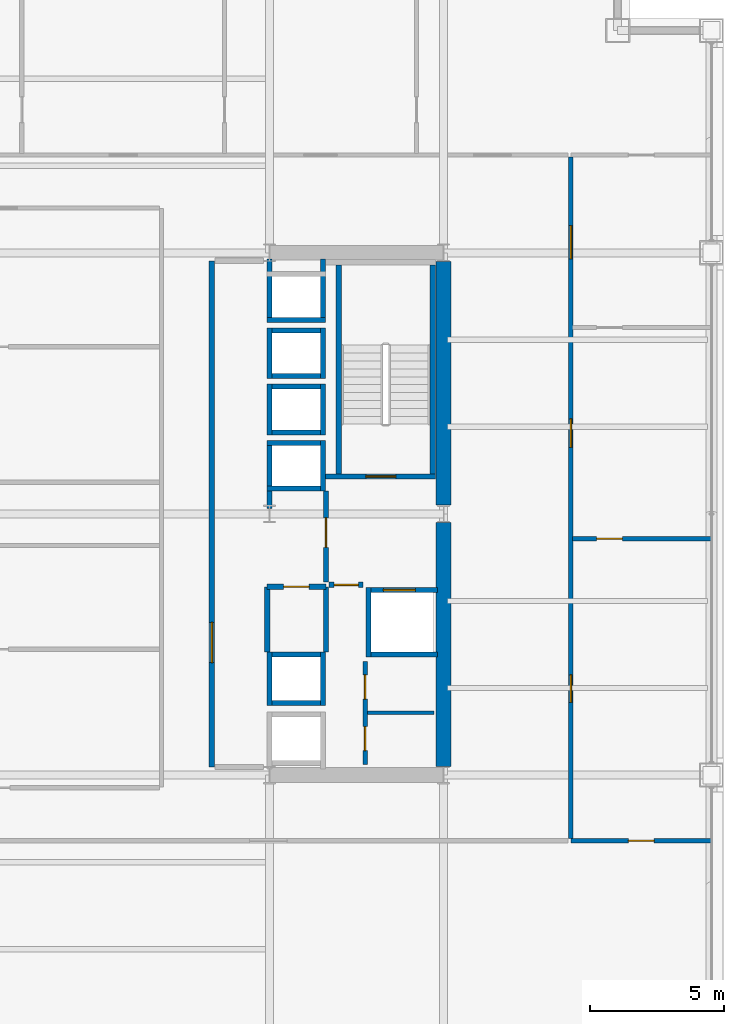
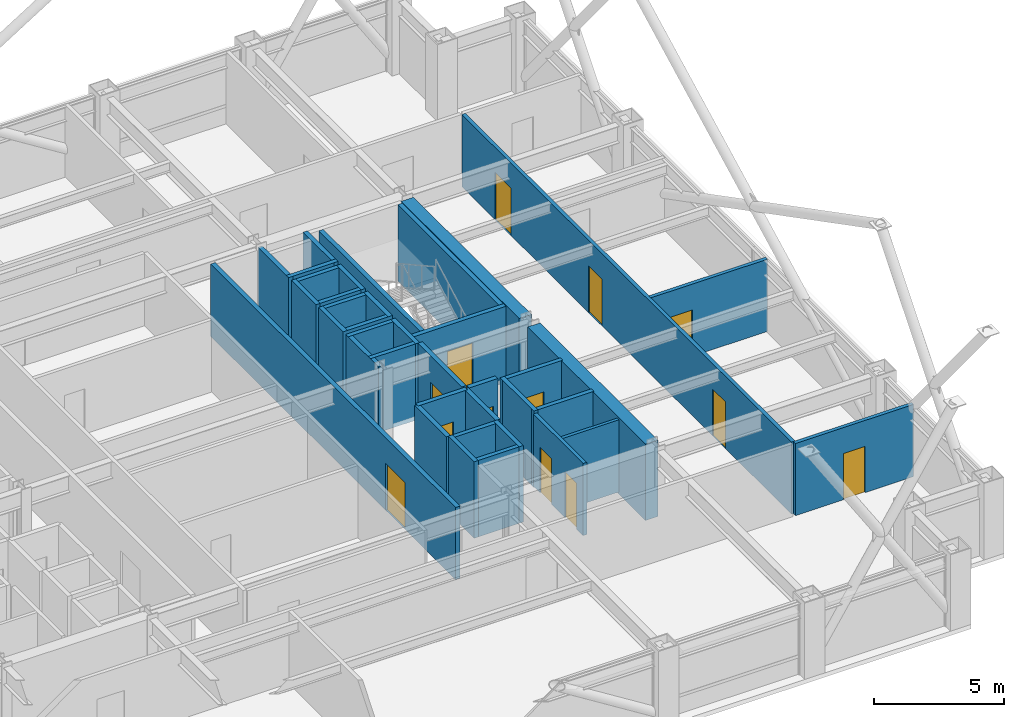
# One storey, part 26 of 29: 38 walls, 13 doors, 13 openings.
"""IFC4 building model written with IfcOpenShell, lengths in metres."""

from ifc_helpers import new_model, si_unit, direction, frame, frame_2d, origin, place, context, subcontext, project, spatial, rectangle, extrude, material, layer, layer_set, type_object, element, fill, save


model = new_model("IFC4")

# Units and contexts
model_context = context("Model", 3, precision=1e-05, world=origin(), true_north=direction((0.0, 1.0)))
body_context = subcontext(model_context, "Body", "Model", "MODEL_VIEW")
ifc_project = project(units=[si_unit("LENGTHUNIT", "METRE"), si_unit("AREAUNIT", "SQUARE_METRE"), si_unit("VOLUMEUNIT", "CUBIC_METRE"), si_unit("PLANEANGLEUNIT", "RADIAN"), si_unit("MASSUNIT", "GRAM", prefix="KILO")], contexts=[model_context])

# Site, building, storey
site_placement = place(None, origin())
site = spatial("IfcSite", under=ifc_project, at=site_placement, CompositionType="ELEMENT")
building_placement = place(site_placement, origin())
building = spatial("IfcBuilding", under=site, at=building_placement, Name="Brelmoor Portico Tower", CompositionType="ELEMENT")
storey_placement = place(building_placement, frame((0.0, 0.0, 67.199951171875)))
storey = spatial("IfcBuildingStorey", under=building, at=storey_placement, Name="L17", CompositionType="ELEMENT", Elevation=67.199951171875)

# Walls
ifc_material_1 = material(Name="Concrete C60", Category="concrete")
ifc_layer_1 = layer(ifc_material_1, 0.550048828125)
ifc_layer_set_1 = layer_set([ifc_layer_1], Name="Concrete C60")
wall_type_1 = type_object("IfcWallType", Name="WL-CORE-550", PredefinedType="SHEAR", material=ifc_layer_set_1)
for number, where, z_axis, x_axis, name in (
    (1, (14.550048828125, -9.425048828125, -0.199951171875), (0.0, 0.0, 1.0), (0.0, 1.0, 0.0), "L17 EC Outer South Shear Wall"),
    (2, (14.550048828125, 0.324951171875, -0.199951171875), (0.0, 0.0, 1.0), (0.0, 1.0, 0.0), "L17 EC Outer North Shear Wall"),
):
    element("IfcWall", number, at=place(storey_placement, frame(where, z_axis=z_axis, x_axis=x_axis)), inside=storey, type_object=wall_type_1, Name=name, PredefinedType="SHEAR", context=body_context, shape_type="SweptSolid", body=[
        extrude(rectangle(XDim=9.10009765625, YDim=0.550048828125, at=frame_2d((4.550048828125, 0.0))), origin(), (0.0, 0.0, 1.0), 3.60009765625),
    ])
ifc_material_2 = material(Name="Insulated Stud Suite Partition", Category="gypsum")
ifc_layer_2 = layer(ifc_material_2, 0.139892578125)
ifc_layer_set_2 = layer_set([ifc_layer_2], Name="Insulated Stud Suite Partition")
wall_type_2 = type_object("IfcWallType", Name="WL-PART-140", PredefinedType="PARTITIONING", material=ifc_layer_set_2)
wall_1_placement = place(storey_placement, frame((11.699951171875, -7.425048828125, 0.0), z_axis=(0.0, 0.0, 1.0), x_axis=(1.0, 0.0, 0.0)))
element("IfcWall", 3, at=wall_1_placement, inside=storey, type_object=wall_type_2, Name="L17 E Core WC Divider 1", PredefinedType="PARTITIONING", context=body_context, shape_type="SweptSolid", body=[
    extrude(rectangle(XDim=2.5, YDim=0.139892578125, at=frame_2d((1.25, 0.0))), origin(), (0.0, 0.0, 1.0), 3.400146484375),
])

# Wall, openings, doors
ifc_material_3 = material(Name="Twin-Frame Acoustic Partition", Category="gypsum")
ifc_layer_3 = layer(ifc_material_3, 0.159912109375)
ifc_layer_set_3 = layer_set([ifc_layer_3], Name="Twin-Frame Acoustic Partition")
wall_type_3 = type_object("IfcWallType", Name="WL-PART-160", PredefinedType="PARTITIONING", material=ifc_layer_set_3)
wall_2_placement = place(storey_placement, frame((11.6201171875, -9.35009765625, 0.0), z_axis=(0.0, 0.0, 1.0), x_axis=(0.0, 1.0, 0.0)))
wall_2 = element("IfcWall", 4, at=wall_2_placement, inside=storey, type_object=wall_type_3, Name="L17 E Core Service Front Wall", PredefinedType="PARTITIONING", context=body_context, shape_type="SweptSolid", body=[
    extrude(rectangle(XDim=3.85009765625, YDim=0.159912109375, at=frame_2d((1.925048828125, 0.0))), origin(), (0.0, 0.0, 1.0), 3.400146484375),
])
opening_1_placement = place(wall_2_placement, frame((0.512451171875, 0.0, 0.0)))
opening_1 = element("IfcOpeningElement", 5, at=opening_1_placement, cuts=wall_2, Name="Opening D-IN1", PredefinedType="OPENING", context=body_context, shape_type="SweptSolid", body=[
    extrude(rectangle(XDim=0.89990234375, YDim=2.14990234375, at=frame_2d((0.449951171875, 1.074951171875))), frame((0.0, 0.08984375, 0.0), z_axis=(0.0, -1.0, 0.0), x_axis=(1.0, 0.0, 0.0)), (0.0, 0.0, 1.0), 0.179931640625),
])
opening_2_placement = place(wall_2_placement, frame((2.4375, 0.0, 0.0)))
opening_2 = element("IfcOpeningElement", 6, at=opening_2_placement, cuts=wall_2, Name="Opening D-IN1", PredefinedType="OPENING", context=body_context, shape_type="SweptSolid", body=[
    extrude(rectangle(XDim=0.89990234375, YDim=2.14990234375, at=frame_2d((0.449951171875, 1.074951171875))), frame((0.0, 0.08984375, 0.0), z_axis=(0.0, -1.0, 0.0), x_axis=(1.0, 0.0, 0.0)), (0.0, 0.0, 1.0), 0.179931640625),
])
ifc_material_4 = material(Name="Lacquered Timber Suite Door", Category="wood")
door_type_1 = type_object("IfcDoorType", Name="DR-INT-900", OperationType="NOTDEFINED", PredefinedType="DOOR", material=ifc_material_4)
door_1_placement = place(opening_1_placement, origin())
door_1 = element("IfcDoor", 7, at=door_1_placement, inside=storey, type_object=door_type_1, Name="D-0757 L17 E Male WC Door", OperationType="SINGLE_SWING_RIGHT", OverallHeight=2.14990234375, OverallWidth=0.89990234375, PredefinedType="DOOR", context=body_context, shape_type="SweptSolid", body=[
    extrude(rectangle(XDim=0.89990234375, YDim=2.14990234375, at=frame_2d((0.449951171875, 1.074951171875))), frame((0.0, 0.02490234375, 0.0), z_axis=(0.0, -1.0, 0.0), x_axis=(1.0, 0.0, 0.0)), (0.0, 0.0, 1.0), 0.050048828125),
])
fill(opening_1, door_1)
door_2_placement = place(opening_2_placement, origin())
door_2 = element("IfcDoor", 8, at=door_2_placement, inside=storey, type_object=door_type_1, Name="D-0758 L17 E Female WC Door", OperationType="SINGLE_SWING_LEFT", OverallHeight=2.14990234375, OverallWidth=0.89990234375, PredefinedType="DOOR", context=body_context, shape_type="SweptSolid", body=[
    extrude(rectangle(XDim=0.89990234375, YDim=2.14990234375, at=frame_2d((0.449951171875, 1.074951171875))), frame((0.0, 0.02490234375, 0.0), z_axis=(0.0, -1.0, 0.0), x_axis=(1.0, 0.0, 0.0)), (0.0, 0.0, 1.0), 0.050048828125),
])
fill(opening_2, door_2)

# Wall, opening, door
wall_3_placement = place(storey_placement, frame((19.300048828125, -12.199951171875, 0.0), z_axis=(0.0, 0.0, 1.0), x_axis=(1.0, 0.0, 0.0)))
wall_3 = element("IfcWall", 9, at=wall_3_placement, inside=storey, type_object=wall_type_3, Name="L17 South Outer Closure ER", PredefinedType="PARTITIONING", context=body_context, shape_type="SweptSolid", body=[
    extrude(rectangle(XDim=5.260009765625, YDim=0.159912109375, at=frame_2d((2.6298828125, 0.0))), origin(), (0.0, 0.0, 1.0), 3.400146484375),
])
opening_3_placement = place(wall_3_placement, frame((2.14990234375, 0.0, 0.0)))
opening_3 = element("IfcOpeningElement", 10, at=opening_3_placement, cuts=wall_3, Name="Opening D-IN2", PredefinedType="OPENING", context=body_context, shape_type="SweptSolid", body=[
    extrude(rectangle(XDim=0.9599609375, YDim=2.179931640625, at=frame_2d((0.47998046875, 1.08984375))), frame((0.0, 0.08984375, 0.0), z_axis=(0.0, -1.0, 0.0), x_axis=(1.0, 0.0, 0.0)), (0.0, 0.0, 1.0), 0.179931640625),
])
door_type_2 = type_object("IfcDoorType", Name="DR-INT-950", OperationType="NOTDEFINED", PredefinedType="DOOR", material=ifc_material_4)
door_3_placement = place(opening_3_placement, origin())
door_3 = element("IfcDoor", 11, at=door_3_placement, inside=storey, type_object=door_type_2, Name="D-0785 L17 ER South Corner Suite Door", OperationType="SINGLE_SWING_LEFT", OverallHeight=2.179931640625, OverallWidth=0.9599609375, PredefinedType="DOOR", context=body_context, shape_type="SweptSolid", body=[
    extrude(rectangle(XDim=0.9599609375, YDim=2.179931640625, at=frame_2d((0.47998046875, 1.08984375))), frame((0.0, 0.02490234375, 0.0), z_axis=(0.0, -1.0, 0.0), x_axis=(1.0, 0.0, 0.0)), (0.0, 0.0, 1.0), 0.050048828125),
])
fill(opening_3, door_3)

wall_4_placement = place(storey_placement, frame((19.360107421875, -0.926513671875, 0.0), z_axis=(0.0, 0.0, 1.0), x_axis=(1.0, 0.0, 0.0)))
wall_4 = element("IfcWall", 12, at=wall_4_placement, inside=storey, type_object=wall_type_3, Name="L17 E Wing Partition 1", PredefinedType="PARTITIONING", context=body_context, shape_type="SweptSolid", body=[
    extrude(rectangle(XDim=5.199951171875, YDim=0.159912109375, at=frame_2d((2.60009765625, 0.0))), origin(), (0.0, 0.0, 1.0), 3.400146484375),
])
opening_4_placement = place(wall_4_placement, frame((0.89990234375, 0.0, 0.0)))
opening_4 = element("IfcOpeningElement", 13, at=opening_4_placement, cuts=wall_4, Name="Opening D-IN2", PredefinedType="OPENING", context=body_context, shape_type="SweptSolid", body=[
    extrude(rectangle(XDim=0.9599609375, YDim=2.179931640625, at=frame_2d((0.47998046875, 1.08984375))), frame((0.0, 0.08984375, 0.0), z_axis=(0.0, -1.0, 0.0), x_axis=(1.0, 0.0, 0.0)), (0.0, 0.0, 1.0), 0.179931640625),
])
door_4_placement = place(opening_4_placement, origin())
door_4 = element("IfcDoor", 14, at=door_4_placement, inside=storey, type_object=door_type_2, Name="D-0792 L17 E Wing Suite Connecting Door 1", OperationType="SINGLE_SWING_LEFT", OverallHeight=2.179931640625, OverallWidth=0.9599609375, PredefinedType="DOOR", context=body_context, shape_type="SweptSolid", body=[
    extrude(rectangle(XDim=0.9599609375, YDim=2.179931640625, at=frame_2d((0.47998046875, 1.08984375))), frame((0.0, 0.02490234375, 0.0), z_axis=(0.0, -1.0, 0.0), x_axis=(1.0, 0.0, 0.0)), (0.0, 0.0, 1.0), 0.050048828125),
])
fill(opening_4, door_4)

# Wall, openings, doors
wall_5_placement = place(storey_placement, frame((19.300048828125, -12.1201171875, 0.0), z_axis=(0.0, 0.0, 1.0), x_axis=(0.0, 1.0, 0.0)))
wall_5 = element("IfcWall", 15, at=wall_5_placement, inside=storey, type_object=wall_type_3, Name="L17 E Wing Corridor Wall", PredefinedType="PARTITIONING", context=body_context, shape_type="SweptSolid", body=[
    extrude(rectangle(XDim=25.440185546875, YDim=0.159912109375, at=frame_2d((12.72021484375, 0.0))), origin(), (0.0, 0.0, 1.0), 3.400146484375),
])
opening_5_placement = place(wall_5_placement, frame((5.0869140625, 0.0, 0.0)))
opening_5 = element("IfcOpeningElement", 16, at=opening_5_placement, cuts=wall_5, Name="Opening D-OF1", PredefinedType="OPENING", context=body_context, shape_type="SweptSolid", body=[
    extrude(rectangle(XDim=1.02001953125, YDim=2.199951171875, at=frame_2d((0.510009765625, 1.10009765625))), frame((0.0, 0.08984375, 0.0), z_axis=(0.0, -1.0, 0.0), x_axis=(1.0, 0.0, 0.0)), (0.0, 0.0, 1.0), 0.179931640625),
])
opening_6_placement = place(wall_5_placement, frame((14.606689453125, 0.0, 0.0)))
opening_6 = element("IfcOpeningElement", 17, at=opening_6_placement, cuts=wall_5, Name="Opening D-OF2", PredefinedType="OPENING", context=body_context, shape_type="SweptSolid", body=[
    extrude(rectangle(XDim=1.06005859375, YDim=2.199951171875, at=frame_2d((0.530029296875, 1.10009765625))), frame((0.0, 0.08984375, 0.0), z_axis=(0.0, -1.0, 0.0), x_axis=(1.0, 0.0, 0.0)), (0.0, 0.0, 1.0), 0.179931640625),
])
opening_7_placement = place(wall_5_placement, frame((21.639892578125, 0.0, 0.0)))
opening_7 = element("IfcOpeningElement", 18, at=opening_7_placement, cuts=wall_5, Name="Opening D-SU1", PredefinedType="OPENING", context=body_context, shape_type="SweptSolid", body=[
    extrude(rectangle(XDim=1.239990234375, YDim=2.239990234375, at=frame_2d((0.6201171875, 1.1201171875))), frame((0.0, 0.08984375, 0.0), z_axis=(0.0, -1.0, 0.0), x_axis=(1.0, 0.0, 0.0)), (0.0, 0.0, 1.0), 0.179931640625),
])
ifc_material_5 = material(Name="Hardwood Acoustic Veneer Door", Category="wood")
door_type_3 = type_object("IfcDoorType", Name="DR-OFFICE-1000", OperationType="NOTDEFINED", PredefinedType="DOOR", material=ifc_material_5)
door_5_placement = place(opening_5_placement, origin())
door_5 = element("IfcDoor", 19, at=door_5_placement, inside=storey, type_object=door_type_3, Name="D-0789 L17 E Quiet Study Room 1 Door", OperationType="SINGLE_SWING_LEFT", OverallHeight=2.199951171875, OverallWidth=1.02001953125, PredefinedType="DOOR", context=body_context, shape_type="SweptSolid", body=[
    extrude(rectangle(XDim=1.02001953125, YDim=2.199951171875, at=frame_2d((0.510009765625, 1.10009765625))), frame((0.0, 0.02490234375, 0.0), z_axis=(0.0, -1.0, 0.0), x_axis=(1.0, 0.0, 0.0)), (0.0, 0.0, 1.0), 0.050048828125),
])
fill(opening_5, door_5)
door_type_4 = type_object("IfcDoorType", Name="DR-OFFICE-1050", OperationType="NOTDEFINED", PredefinedType="DOOR", material=ifc_material_5)
door_6_placement = place(opening_6_placement, origin())
door_6 = element("IfcDoor", 20, at=door_6_placement, inside=storey, type_object=door_type_4, Name="D-0790 L17 E Technical Storage 2 Door", OperationType="SINGLE_SWING_RIGHT", OverallHeight=2.199951171875, OverallWidth=1.06005859375, PredefinedType="DOOR", context=body_context, shape_type="SweptSolid", body=[
    extrude(rectangle(XDim=1.06005859375, YDim=2.199951171875, at=frame_2d((0.530029296875, 1.10009765625))), frame((0.0, 0.02490234375, 0.0), z_axis=(0.0, -1.0, 0.0), x_axis=(1.0, 0.0, 0.0)), (0.0, 0.0, 1.0), 0.050048828125),
])
fill(opening_6, door_6)
ifc_material_6 = material(Name="Glazed Timber Executive Suite Door", Category="wood")
door_type_5 = type_object("IfcDoorType", Name="DR-SUITE-1200", OperationType="NOTDEFINED", PredefinedType="DOOR", material=ifc_material_6)
door_7_placement = place(opening_7_placement, origin())
door_7 = element("IfcDoor", 21, at=door_7_placement, inside=storey, type_object=door_type_5, Name="D-0791 L17 E Open-Plan Office 3 Door", OperationType="SINGLE_SWING_LEFT", OverallHeight=2.239990234375, OverallWidth=1.239990234375, PredefinedType="DOOR", context=body_context, shape_type="SweptSolid", body=[
    extrude(rectangle(XDim=1.239990234375, YDim=2.239990234375, at=frame_2d((0.6201171875, 1.1201171875))), frame((0.0, 0.02490234375, 0.0), z_axis=(0.0, -1.0, 0.0), x_axis=(1.0, 0.0, 0.0)), (0.0, 0.0, 1.0), 0.050048828125),
])
fill(opening_7, door_7)

# Wall, opening, door
ifc_material_7 = material(Name="Double-Stud Gypsum Fire Partition", Category="gypsum")
ifc_layer_4 = layer(ifc_material_7, 0.199951171875)
ifc_layer_set_4 = layer_set([ifc_layer_4], Name="Double-Stud Gypsum Fire Partition")
wall_type_4 = type_object("IfcWallType", Name="WL-PART-200", PredefinedType="PARTITIONING", material=ifc_layer_set_4)
wall_6_placement = place(storey_placement, frame((5.89990234375, -9.449951171875, 0.0), z_axis=(0.0, 0.0, 1.0), x_axis=(0.0, 1.0, 0.0)))
wall_6 = element("IfcWall", 22, at=wall_6_placement, inside=storey, type_object=wall_type_4, Name="L17 E Core Lobby Compartment Wall", PredefinedType="PARTITIONING", context=body_context, shape_type="SweptSolid", body=[
    extrude(rectangle(XDim=18.89990234375, YDim=0.199951171875, at=frame_2d((9.449951171875, 0.0))), origin(), (0.0, 0.0, 1.0), 3.400146484375),
])
opening_8_placement = place(wall_6_placement, frame((3.89990234375, 0.0, 0.0)))
opening_8 = element("IfcOpeningElement", 23, at=opening_8_placement, cuts=wall_6, Name="Opening D-LB1", PredefinedType="OPENING", context=body_context, shape_type="SweptSolid", body=[
    extrude(rectangle(XDim=1.5, YDim=2.199951171875, at=frame_2d((0.75, 1.10009765625))), frame((0.0, 0.10986328125, 0.0), z_axis=(0.0, -1.0, 0.0), x_axis=(1.0, 0.0, 0.0)), (0.0, 0.0, 1.0), 0.219970703125),
])
ifc_material_8 = material(Name="Double-Leaf Glazed Steel Fire Door", Category="steel")
door_type_6 = type_object("IfcDoorType", Name="DR-LOBBY-1500", OperationType="NOTDEFINED", PredefinedType="DOOR", material=ifc_material_8)
door_8_placement = place(opening_8_placement, origin())
door_8 = element("IfcDoor", 24, at=door_8_placement, inside=storey, type_object=door_type_6, Name="D-0767 L17 E Lift Lobby Main Door", OperationType="DOUBLE_DOOR_SINGLE_SWING", OverallHeight=2.199951171875, OverallWidth=1.5, PredefinedType="DOOR", context=body_context, shape_type="SweptSolid", body=[
    extrude(rectangle(XDim=1.5, YDim=2.199951171875, at=frame_2d((0.75, 1.10009765625))), frame((0.0, 0.02490234375, 0.0), z_axis=(0.0, -1.0, 0.0), x_axis=(1.0, 0.0, 0.0)), (0.0, 0.0, 1.0), 0.050048828125),
])
fill(opening_8, door_8)

wall_7_placement = place(storey_placement, frame((10.159912109375, -2.550048828125, 0.0), z_axis=(0.0, 0.0, 1.0), x_axis=(0.0, 1.0, 0.0)))
wall_7 = element("IfcWall", 25, at=wall_7_placement, inside=storey, type_object=wall_type_4, Name="L17 E Firefighting Lobby Wall", PredefinedType="PARTITIONING", context=body_context, shape_type="SweptSolid", body=[
    extrude(rectangle(XDim=3.400146484375, YDim=0.199951171875, at=frame_2d((1.7001953125, 0.0))), origin(), (0.0, 0.0, 1.0), 3.400146484375),
])
opening_9_placement = place(wall_7_placement, frame((1.300048828125, 0.0, 0.0)))
opening_9 = element("IfcOpeningElement", 26, at=opening_9_placement, cuts=wall_7, Name="Opening D-FR1", PredefinedType="OPENING", context=body_context, shape_type="SweptSolid", body=[
    extrude(rectangle(XDim=1.10009765625, YDim=2.14990234375, at=frame_2d((0.550048828125, 1.074951171875))), frame((0.0, 0.10986328125, 0.0), z_axis=(0.0, -1.0, 0.0), x_axis=(1.0, 0.0, 0.0)), (0.0, 0.0, 1.0), 0.219970703125),
])
ifc_material_9 = material(Name="Painted Galvanised Steel Fire Door", Category="steel")
door_type_7 = type_object("IfcDoorType", Name="DR-FIRE-1100", OperationType="NOTDEFINED", PredefinedType="DOOR", material=ifc_material_9)
door_9_placement = place(opening_9_placement, origin())
door_9 = element("IfcDoor", 27, at=door_9_placement, inside=storey, type_object=door_type_7, Name="D-0765 L17 E Firefighting Lobby Door", OperationType="SINGLE_SWING_LEFT", OverallHeight=2.14990234375, OverallWidth=1.10009765625, PredefinedType="DOOR", context=body_context, shape_type="SweptSolid", body=[
    extrude(rectangle(XDim=1.10009765625, YDim=2.14990234375, at=frame_2d((0.550048828125, 1.074951171875))), frame((0.0, 0.02490234375, 0.0), z_axis=(0.0, -1.0, 0.0), x_axis=(1.0, 0.0, 0.0)), (0.0, 0.0, 1.0), 0.050048828125),
])
fill(opening_9, door_9)

wall_8_placement = place(storey_placement, frame((10.280029296875, -2.64990234375, 0.0), z_axis=(0.0, 0.0, 1.0), x_axis=(1.0, 0.0, 0.0)))
wall_8 = element("IfcWall", 28, at=wall_8_placement, inside=storey, type_object=wall_type_4, Name="L17 E Firefighting Lobby South Wall", PredefinedType="PARTITIONING", context=body_context, shape_type="SweptSolid", body=[
    extrude(rectangle(XDim=1.27001953125, YDim=0.199951171875, at=frame_2d((0.635009765625, 0.0))), origin(), (0.0, 0.0, 1.0), 3.400146484375),
])
opening_10_placement = place(wall_8_placement, frame((0.18505859375, 0.0, 0.0)))
opening_10 = element("IfcOpeningElement", 29, at=opening_10_placement, cuts=wall_8, Name="Opening D-IN1", PredefinedType="OPENING", context=body_context, shape_type="SweptSolid", body=[
    extrude(rectangle(XDim=0.89990234375, YDim=2.14990234375, at=frame_2d((0.449951171875, 1.074951171875))), frame((0.0, 0.10986328125, 0.0), z_axis=(0.0, -1.0, 0.0), x_axis=(1.0, 0.0, 0.0)), (0.0, 0.0, 1.0), 0.219970703125),
])
door_10_placement = place(opening_10_placement, origin())
door_10 = element("IfcDoor", 30, at=door_10_placement, inside=storey, type_object=door_type_1, Name="D-0759 L17 E Core Service Vestibule Door", OperationType="SINGLE_SWING_RIGHT", OverallHeight=2.14990234375, OverallWidth=0.89990234375, PredefinedType="DOOR", context=body_context, shape_type="SweptSolid", body=[
    extrude(rectangle(XDim=0.89990234375, YDim=2.14990234375, at=frame_2d((0.449951171875, 1.074951171875))), frame((0.0, 0.02490234375, 0.0), z_axis=(0.0, -1.0, 0.0), x_axis=(1.0, 0.0, 0.0)), (0.0, 0.0, 1.0), 0.050048828125),
])
fill(opening_10, door_10)

wall_9_placement = place(storey_placement, frame((7.9599609375, -2.719970703125, 0.0), z_axis=(0.0, 0.0, 1.0), x_axis=(1.0, 0.0, 0.0)))
wall_9 = element("IfcWall", 31, at=wall_9_placement, inside=storey, type_object=wall_type_4, Name="L17 E Electrical Switchgear Closet Wall", PredefinedType="PARTITIONING", context=body_context, shape_type="SweptSolid", body=[
    extrude(rectangle(XDim=2.199951171875, YDim=0.199951171875, at=frame_2d((1.10009765625, 0.0))), origin(), (0.0, 0.0, 1.0), 3.400146484375),
])
opening_11_placement = place(wall_9_placement, frame((0.6201171875, 0.0, 0.0)))
opening_11 = element("IfcOpeningElement", 32, at=opening_11_placement, cuts=wall_9, Name="Opening D-FR4", PredefinedType="OPENING", context=body_context, shape_type="SweptSolid", body=[
    extrude(rectangle(XDim=0.949951171875, YDim=2.10009765625, at=frame_2d((0.47509765625, 1.050048828125))), frame((0.0, 0.10986328125, 0.0), z_axis=(0.0, -1.0, 0.0), x_axis=(1.0, 0.0, 0.0)), (0.0, 0.0, 1.0), 0.219970703125),
])
ifc_material_10 = material(Name="Painted Galvanised Steel Riser Door", Category="steel")
door_type_8 = type_object("IfcDoorType", Name="DR-FIRE-950", OperationType="NOTDEFINED", PredefinedType="DOOR", material=ifc_material_10)
door_11_placement = place(opening_11_placement, origin())
door_11 = element("IfcDoor", 33, at=door_11_placement, inside=storey, type_object=door_type_8, Name="D-0763 L17 E Electrical Switchgear Closet Door", OperationType="SINGLE_SWING_LEFT", OverallHeight=2.10009765625, OverallWidth=0.949951171875, PredefinedType="DOOR", context=body_context, shape_type="SweptSolid", body=[
    extrude(rectangle(XDim=0.949951171875, YDim=2.10009765625, at=frame_2d((0.47509765625, 1.050048828125))), frame((0.0, 0.02490234375, 0.0), z_axis=(0.0, -1.0, 0.0), x_axis=(1.0, 0.0, 0.0)), (0.0, 0.0, 1.0), 0.050048828125),
])
fill(opening_11, door_11)

# Walls
for number, where, z_axis, x_axis, name in (
    (34, (7.9599609375, -5.159912109375, 0.0), (0.0, 0.0, 1.0), (0.0, 1.0, 0.0), "L17 E Electrical Switchgear Closet Inner Wall"),
    (35, (10.159912109375, -5.159912109375, 0.0), (0.0, 0.0, 1.0), (0.0, 1.0, 0.0), "L17 E Electrical Switchgear Closet Outer Wall"),
):
    element("IfcWall", number, at=place(storey_placement, frame(where, z_axis=z_axis, x_axis=x_axis)), inside=storey, type_object=wall_type_4, Name=name, PredefinedType="PARTITIONING", context=body_context, shape_type="SweptSolid", body=[
        extrude(rectangle(XDim=2.43994140625, YDim=0.199951171875, at=frame_2d((1.219970703125, 0.0))), origin(), (0.0, 0.0, 1.0), 3.400146484375),
    ])
ifc_material_11 = material(Name="Precast Concrete C40", Category="concrete")
ifc_layer_5 = layer(ifc_material_11, 0.18994140625)
ifc_layer_set_5 = layer_set([ifc_layer_5], Name="Precast Concrete C40")
wall_type_5 = type_object("IfcWallType", Name="WL-SHAFT-180", PredefinedType="SOLIDWALL", material=ifc_layer_set_5)
wall_10_placement = place(storey_placement, frame((8.044921875, 0.2099609375, -0.199951171875), z_axis=(0.0, 0.0, 1.0), x_axis=(0.0, 1.0, 0.0)))
element("IfcWall", 36, at=wall_10_placement, inside=storey, type_object=wall_type_5, Name="L17 Lift PM1 Hoistway Front Wall", PredefinedType="SOLIDWALL", context=body_context, shape_type="SweptSolid", body=[
    extrude(rectangle(XDim=2.5400390625, YDim=0.18994140625, at=frame_2d((1.27001953125, 0.0))), origin(), (0.0, 0.0, 1.0), 3.60009765625),
])
wall_11_placement = place(storey_placement, frame((10.054931640625, 0.85009765625, -0.199951171875), z_axis=(0.0, 0.0, 1.0), x_axis=(0.0, 1.0, 0.0)))
element("IfcWall", 37, at=wall_11_placement, inside=storey, type_object=wall_type_5, Name="L17 Lift PM1 Hoistway Back Wall", PredefinedType="SOLIDWALL", context=body_context, shape_type="SweptSolid", body=[
    extrude(rectangle(XDim=1.89990234375, YDim=0.18994140625, at=frame_2d((0.949951171875, 0.0))), origin(), (0.0, 0.0, 1.0), 3.60009765625),
])
for number, where, z_axis, x_axis, name in (
    (38, (7.949951171875, 2.655029296875, -0.199951171875), (0.0, 0.0, 1.0), (1.0, 0.0, 0.0), "L17 Lift PM1 Hoistway North Wall"),
    (39, (7.949951171875, 0.945068359375, -0.199951171875), (0.0, 0.0, 1.0), (1.0, 0.0, 0.0), "L17 Lift PM1 Hoistway South Wall"),
):
    element("IfcWall", number, at=place(storey_placement, frame(where, z_axis=z_axis, x_axis=x_axis)), inside=storey, type_object=wall_type_5, Name=name, PredefinedType="SOLIDWALL", context=body_context, shape_type="SweptSolid", body=[
        extrude(rectangle(XDim=2.199951171875, YDim=0.18994140625, at=frame_2d((1.10009765625, 0.0))), origin(), (0.0, 0.0, 1.0), 3.60009765625),
    ])
for number, where, z_axis, x_axis, name in (
    (40, (8.044921875, 2.949951171875, -0.199951171875), (0.0, 0.0, 1.0), (0.0, 1.0, 0.0), "L17 Lift PM2 Hoistway Front Wall"),
    (41, (10.054931640625, 2.949951171875, -0.199951171875), (0.0, 0.0, 1.0), (0.0, 1.0, 0.0), "L17 Lift PM2 Hoistway Back Wall"),
):
    element("IfcWall", number, at=place(storey_placement, frame(where, z_axis=z_axis, x_axis=x_axis)), inside=storey, type_object=wall_type_5, Name=name, PredefinedType="SOLIDWALL", context=body_context, shape_type="SweptSolid", body=[
        extrude(rectangle(XDim=1.900146484375, YDim=0.18994140625, at=frame_2d((0.9501953125, 0.0))), origin(), (0.0, 0.0, 1.0), 3.60009765625),
    ])
for number, where, z_axis, x_axis, name in (
    (42, (7.949951171875, 4.7548828125, -0.199951171875), (0.0, 0.0, 1.0), (1.0, 0.0, 0.0), "L17 Lift PM2 Hoistway North Wall"),
    (43, (7.949951171875, 3.044921875, -0.199951171875), (0.0, 0.0, 1.0), (1.0, 0.0, 0.0), "L17 Lift PM2 Hoistway South Wall"),
):
    element("IfcWall", number, at=place(storey_placement, frame(where, z_axis=z_axis, x_axis=x_axis)), inside=storey, type_object=wall_type_5, Name=name, PredefinedType="SOLIDWALL", context=body_context, shape_type="SweptSolid", body=[
        extrude(rectangle(XDim=2.199951171875, YDim=0.18994140625, at=frame_2d((1.10009765625, 0.0))), origin(), (0.0, 0.0, 1.0), 3.60009765625),
    ])
for number, where, z_axis, x_axis, name in (
    (44, (8.044921875, 5.050048828125, -0.199951171875), (0.0, 0.0, 1.0), (0.0, 1.0, 0.0), "L17 Lift PM3 Hoistway Front Wall"),
    (45, (10.054931640625, 5.050048828125, -0.199951171875), (0.0, 0.0, 1.0), (0.0, 1.0, 0.0), "L17 Lift PM3 Hoistway Back Wall"),
):
    element("IfcWall", number, at=place(storey_placement, frame(where, z_axis=z_axis, x_axis=x_axis)), inside=storey, type_object=wall_type_5, Name=name, PredefinedType="SOLIDWALL", context=body_context, shape_type="SweptSolid", body=[
        extrude(rectangle(XDim=1.89990234375, YDim=0.18994140625, at=frame_2d((0.949951171875, 0.0))), origin(), (0.0, 0.0, 1.0), 3.60009765625),
    ])
for number, where, z_axis, x_axis, name in (
    (46, (7.949951171875, 6.85498046875, -0.199951171875), (0.0, 0.0, 1.0), (1.0, 0.0, 0.0), "L17 Lift PM3 Hoistway North Wall"),
    (47, (7.949951171875, 5.14501953125, -0.199951171875), (0.0, 0.0, 1.0), (1.0, 0.0, 0.0), "L17 Lift PM3 Hoistway South Wall"),
):
    element("IfcWall", number, at=place(storey_placement, frame(where, z_axis=z_axis, x_axis=x_axis)), inside=storey, type_object=wall_type_5, Name=name, PredefinedType="SOLIDWALL", context=body_context, shape_type="SweptSolid", body=[
        extrude(rectangle(XDim=2.199951171875, YDim=0.18994140625, at=frame_2d((1.10009765625, 0.0))), origin(), (0.0, 0.0, 1.0), 3.60009765625),
    ])
for number, where, z_axis, x_axis, name in (
    (48, (8.044921875, 7.14990234375, -0.199951171875), (0.0, 0.0, 1.0), (0.0, 1.0, 0.0), "L17 Lift PM4 Hoistway Front Wall"),
    (49, (10.054931640625, 7.14990234375, -0.199951171875), (0.0, 0.0, 1.0), (0.0, 1.0, 0.0), "L17 Lift PM4 Hoistway Back Wall"),
):
    element("IfcWall", number, at=place(storey_placement, frame(where, z_axis=z_axis, x_axis=x_axis)), inside=storey, type_object=wall_type_5, Name=name, PredefinedType="SOLIDWALL", context=body_context, shape_type="SweptSolid", body=[
        extrude(rectangle(XDim=2.3701171875, YDim=0.18994140625, at=frame_2d((1.18505859375, 0.0))), origin(), (0.0, 0.0, 1.0), 3.60009765625),
    ])
wall_12_placement = place(storey_placement, frame((7.949951171875, 7.2451171875, -0.199951171875), z_axis=(0.0, 0.0, 1.0), x_axis=(1.0, 0.0, 0.0)))
element("IfcWall", 50, at=wall_12_placement, inside=storey, type_object=wall_type_5, Name="L17 Lift PM4 Hoistway South Wall", PredefinedType="SOLIDWALL", context=body_context, shape_type="SweptSolid", body=[
    extrude(rectangle(XDim=2.199951171875, YDim=0.18994140625, at=frame_2d((1.10009765625, 0.0))), origin(), (0.0, 0.0, 1.0), 3.60009765625),
])
for number, where, z_axis, x_axis, name in (
    (51, (8.044921875, -7.14990234375, -0.199951171875), (0.0, 0.0, 1.0), (0.0, 1.0, 0.0), "L17 Lift PH4 Hoistway Front Wall"),
    (52, (10.054931640625, -7.14990234375, -0.199951171875), (0.0, 0.0, 1.0), (0.0, 1.0, 0.0), "L17 Lift PH4 Hoistway Back Wall"),
):
    element("IfcWall", number, at=place(storey_placement, frame(where, z_axis=z_axis, x_axis=x_axis)), inside=storey, type_object=wall_type_5, Name=name, PredefinedType="SOLIDWALL", context=body_context, shape_type="SweptSolid", body=[
        extrude(rectangle(XDim=2.0, YDim=0.18994140625, at=frame_2d((1.0, 0.0))), origin(), (0.0, 0.0, 1.0), 3.60009765625),
    ])
for number, where, z_axis, x_axis, name in (
    (53, (7.949951171875, -5.2451171875, -0.199951171875), (0.0, 0.0, 1.0), (1.0, 0.0, 0.0), "L17 Lift PH4 Hoistway North Wall"),
    (54, (7.949951171875, -7.054931640625, -0.199951171875), (0.0, 0.0, 1.0), (1.0, 0.0, 0.0), "L17 Lift PH4 Hoistway South Wall"),
):
    element("IfcWall", number, at=place(storey_placement, frame(where, z_axis=z_axis, x_axis=x_axis)), inside=storey, type_object=wall_type_5, Name=name, PredefinedType="SOLIDWALL", context=body_context, shape_type="SweptSolid", body=[
        extrude(rectangle(XDim=2.199951171875, YDim=0.18994140625, at=frame_2d((1.10009765625, 0.0))), origin(), (0.0, 0.0, 1.0), 3.60009765625),
    ])

# Wall, opening, door
wall_13_placement = place(storey_placement, frame((11.64990234375, -2.844970703125, -0.199951171875), z_axis=(0.0, 0.0, 1.0), x_axis=(1.0, 0.0, 0.0)))
wall_13 = element("IfcWall", 55, at=wall_13_placement, inside=storey, type_object=wall_type_5, Name="L17 Lift FF2 Hoistway Front Wall", PredefinedType="SOLIDWALL", context=body_context, shape_type="SweptSolid", body=[
    extrude(rectangle(XDim=2.68017578125, YDim=0.18994140625, at=frame_2d((1.340087890625, 0.0))), origin(), (0.0, 0.0, 1.0), 3.60009765625),
])
opening_12_placement = place(wall_13_placement, frame((0.64990234375, 0.0, 0.199951171875)))
opening_12 = element("IfcOpeningElement", 56, at=opening_12_placement, cuts=wall_13, Name="Opening LD-02", PredefinedType="OPENING", context=body_context, shape_type="SweptSolid", body=[
    extrude(rectangle(XDim=1.199951171875, YDim=2.199951171875, at=frame_2d((0.60009765625, 1.10009765625))), frame((0.0, 0.10498046875, 0.0), z_axis=(0.0, -1.0, 0.0), x_axis=(1.0, 0.0, 0.0)), (0.0, 0.0, 1.0), 0.2099609375),
])
ifc_material_12 = material(Name="Brushed Stainless Steel Firefighting Lift Door", Category="steel")
door_type_9 = type_object("IfcDoorType", Name="DR-LIFT-1200", OperationType="NOTDEFINED", PredefinedType="DOOR", material=ifc_material_12)
door_12_placement = place(opening_12_placement, origin())
door_12 = element("IfcDoor", 57, at=door_12_placement, inside=storey, type_object=door_type_9, Name="D-0796 L17 Lift FF2 Sliding Landing Door", OperationType="SLIDING_TO_LEFT", OverallHeight=2.199951171875, OverallWidth=1.199951171875, PredefinedType="DOOR", context=body_context, shape_type="SweptSolid", body=[
    extrude(rectangle(XDim=1.199951171875, YDim=2.199951171875, at=frame_2d((0.60009765625, 1.10009765625))), frame((0.0, 0.02490234375, 0.0), z_axis=(0.0, -1.0, 0.0), x_axis=(1.0, 0.0, 0.0)), (0.0, 0.0, 1.0), 0.050048828125),
])
fill(opening_12, door_12)

# Walls
wall_14_placement = place(storey_placement, frame((11.64990234375, -5.2548828125, -0.199951171875), z_axis=(0.0, 0.0, 1.0), x_axis=(1.0, 0.0, 0.0)))
element("IfcWall", 58, at=wall_14_placement, inside=storey, type_object=wall_type_5, Name="L17 Firefighting Lift FF2 South Wall", PredefinedType="SOLIDWALL", context=body_context, shape_type="SweptSolid", body=[
    extrude(rectangle(XDim=2.68017578125, YDim=0.18994140625, at=frame_2d((1.340087890625, 0.0))), origin(), (0.0, 0.0, 1.0), 3.60009765625),
])
wall_15_placement = place(storey_placement, frame((11.7451171875, -5.35009765625, -0.199951171875), z_axis=(0.0, 0.0, 1.0), x_axis=(0.0, 1.0, 0.0)))
element("IfcWall", 59, at=wall_15_placement, inside=storey, type_object=wall_type_5, Name="L17 Firefighting Lift FF2 Inner Wall", PredefinedType="SOLIDWALL", context=body_context, shape_type="SweptSolid", body=[
    extrude(rectangle(XDim=2.60009765625, YDim=0.18994140625, at=frame_2d((1.300048828125, 0.0))), origin(), (0.0, 0.0, 1.0), 3.60009765625),
])
ifc_material_13 = material(Name="Concrete C40", Category="concrete")
ifc_layer_6 = layer(ifc_material_13, 0.199951171875)
ifc_layer_set_6 = layer_set([ifc_layer_6], Name="Concrete C40")
wall_type_6 = type_object("IfcWallType", Name="WL-SHAFT-RC200", PredefinedType="SOLIDWALL", material=ifc_layer_set_6)
wall_16_placement = place(storey_placement, frame((14.14990234375, 1.5, -0.199951171875), z_axis=(0.0, 0.0, 1.0), x_axis=(0.0, 1.0, 0.0)))
element("IfcWall", 60, at=wall_16_placement, inside=storey, type_object=wall_type_6, Name="L17 ST-E Structural Stair Wall Outer", PredefinedType="SOLIDWALL", context=body_context, shape_type="SweptSolid", body=[
    extrude(rectangle(XDim=7.800048828125, YDim=0.199951171875, at=frame_2d((3.89990234375, 0.0))), origin(), (0.0, 0.0, 1.0), 3.60009765625),
])

# Wall, opening, door
wall_17_placement = place(storey_placement, frame((10.14990234375, 1.39990234375, -0.199951171875), z_axis=(0.0, 0.0, 1.0), x_axis=(1.0, 0.0, 0.0)))
wall_17 = element("IfcWall", 61, at=wall_17_placement, inside=storey, type_object=wall_type_6, Name="L17 ST-E Structural Stair Wall S", PredefinedType="SOLIDWALL", context=body_context, shape_type="SweptSolid", body=[
    extrude(rectangle(XDim=4.10009765625, YDim=0.199951171875, at=frame_2d((2.050048828125, 0.0))), origin(), (0.0, 0.0, 1.0), 3.60009765625),
])
opening_13_placement = place(wall_17_placement, frame((1.5, 0.0, 0.199951171875)))
opening_13 = element("IfcOpeningElement", 62, at=opening_13_placement, cuts=wall_17, Name="Opening D-ST1", PredefinedType="OPENING", context=body_context, shape_type="SweptSolid", body=[
    extrude(rectangle(XDim=1.1201171875, YDim=2.179931640625, at=frame_2d((0.56005859375, 1.08984375))), frame((0.0, 0.10986328125, 0.0), z_axis=(0.0, -1.0, 0.0), x_axis=(1.0, 0.0, 0.0)), (0.0, 0.0, 1.0), 0.219970703125),
])
door_type_10 = type_object("IfcDoorType", Name="DR-STAIR-1100", OperationType="NOTDEFINED", PredefinedType="DOOR", material=ifc_material_9)
door_13_placement = place(opening_13_placement, origin())
door_13 = element("IfcDoor", 63, at=door_13_placement, inside=storey, type_object=door_type_10, Name="D-0783 L17 ST-E Protected Exit Stair Door", OperationType="SINGLE_SWING_RIGHT", OverallHeight=2.179931640625, OverallWidth=1.1201171875, PredefinedType="DOOR", context=body_context, shape_type="SweptSolid", body=[
    extrude(rectangle(XDim=1.1201171875, YDim=2.179931640625, at=frame_2d((0.56005859375, 1.08984375))), frame((0.0, 0.02490234375, 0.0), z_axis=(0.0, -1.0, 0.0), x_axis=(1.0, 0.0, 0.0)), (0.0, 0.0, 1.0), 0.050048828125),
])
fill(opening_13, door_13)

# Wall
wall_18_placement = place(storey_placement, frame((10.6298828125, 1.5, -0.199951171875), z_axis=(0.0, 0.0, 1.0), x_axis=(0.0, 1.0, 0.0)))
element("IfcWall", 64, at=wall_18_placement, inside=storey, type_object=wall_type_6, Name="L17 ST-E Structural Stair Wall Inner", PredefinedType="SOLIDWALL", context=body_context, shape_type="SweptSolid", body=[
    extrude(rectangle(XDim=7.800048828125, YDim=0.199951171875, at=frame_2d((3.89990234375, 0.0))), origin(), (0.0, 0.0, 1.0), 3.60009765625),
])

save(model, "model.ifc")
